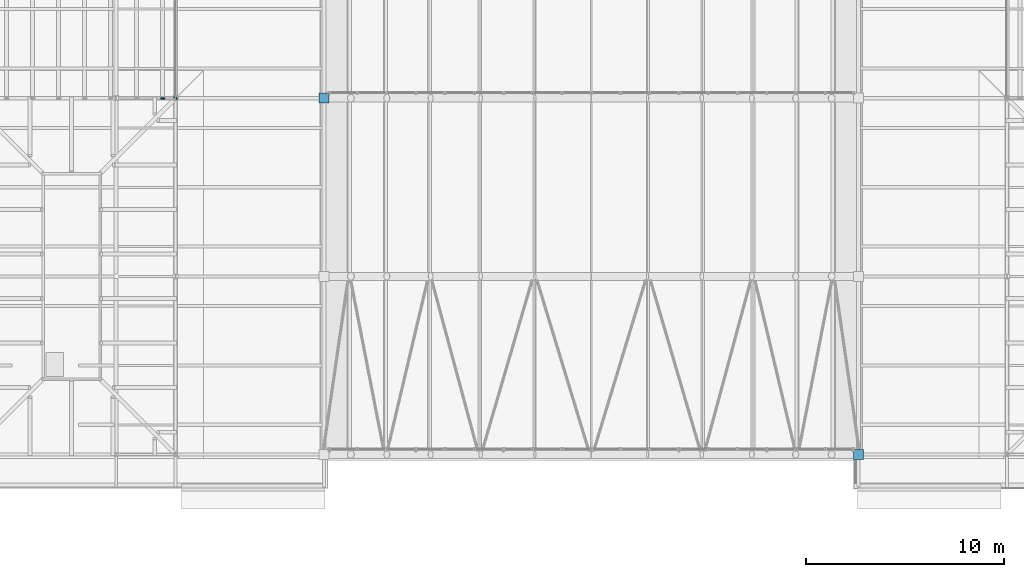
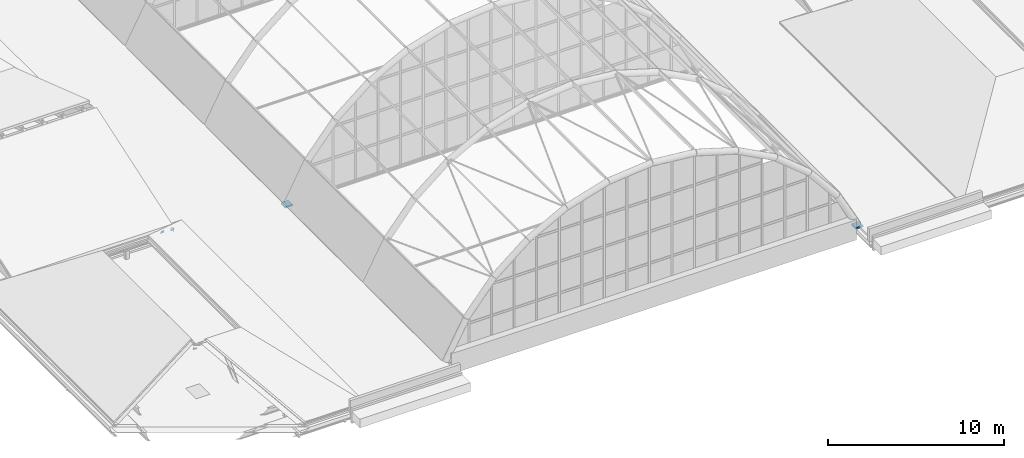
# One storey, part 104 of 121: 4 discrete accessories.
"""IFC4 building model written with IfcOpenShell, lengths in metres."""

from ifc_helpers import new_model, si_unit, direction, frame, origin, origin_2d, place, context, subcontext, project, spatial, rectangle, extrude, material, material_profile, profile_set, type_object, element, save


model = new_model("IFC4")

# Units and contexts
model_context = context("Model", 3, precision=1e-05, world=origin(), true_north=direction((0.0, 1.0)))
body_context = subcontext(model_context, "Body", "Model", "MODEL_VIEW")
ifc_project = project(units=[si_unit("LENGTHUNIT", "METRE"), si_unit("AREAUNIT", "SQUARE_METRE"), si_unit("VOLUMEUNIT", "CUBIC_METRE"), si_unit("PLANEANGLEUNIT", "RADIAN"), si_unit("MASSUNIT", "GRAM", prefix="KILO")], contexts=[model_context])

# Site, building, storey
site_placement = place(None, origin())
site = spatial("IfcSite", under=ifc_project, at=site_placement, CompositionType="ELEMENT")
building_placement = place(site_placement, origin())
building = spatial("IfcBuilding", under=site, at=building_placement, Name="Golden Quay Civic Hall", CompositionType="ELEMENT")
storey_placement = place(building_placement, frame((0.0, 0.0, 18.60009765625)))
storey = spatial("IfcBuildingStorey", under=building, at=storey_placement, Name="L04", CompositionType="ELEMENT", Elevation=18.60009765625)

# Discrete accessories
ifc_material_1 = material(Name="Steel S355", Category="steel")
discrete_accessory_type_1 = type_object("IfcDiscreteAccessoryType", Name="Steel bearing shoe 500x500x100", PredefinedType="BRACKET", material=ifc_material_1)
for number, where, z_axis, x_axis, name in (
    (1, (99.0, 0.0, -0.000244140625), (0.0, 0.0, 1.0), (1.0, 0.0, 0.0), "Bearing shoe 1"),
    (2, (72.0, 18.0, -0.000244140625), (0.0, 0.0, 1.0), (1.0, 0.0, 0.0), "Bearing shoe 3"),
):
    element("IfcDiscreteAccessory", number, at=place(storey_placement, frame(where, z_axis=z_axis, x_axis=x_axis)), inside=storey, type_object=discrete_accessory_type_1, Name=name, PredefinedType="BRACKET", context=body_context, shape_type="SweptSolid", body=[
        extrude(rectangle(XDim=0.5, YDim=0.5, at=origin_2d()), origin(), (0.0, 0.0, 1.0), 0.10009765625),
    ])
ifc_material_2 = material(Name="Steel S355", Category="steel")
ifc_material_profile = material_profile(ifc_material_2, rectangle(XDim=0.199951171875, YDim=0.199951171875, at=origin_2d()), Name="Steel end cap plate 200x200x16")
ifc_profile_set = profile_set([ifc_material_profile], Name="Steel S355")
discrete_accessory_type_2 = type_object("IfcDiscreteAccessoryType", Name="Steel end cap plate 200x200x16", PredefinedType="BRACKET", material=ifc_profile_set)
for number, where, z_axis, x_axis, name in (
    (3, (64.5, 18.0, 0.92822265625), (0.628025291884, 0.628025291884, -0.459530701378), (-0.707106781187, 0.707106781187, 0.0), "End cap hip rafter WM-S north-east"),
    (4, (63.84375, 18.0, 0.990478515625), (0.0, -0.947144575628, -0.32080703368), (1.0, 0.0, 0.0), "End cap gable rafter south 8"),
):
    element("IfcDiscreteAccessory", number, at=place(storey_placement, frame(where, z_axis=z_axis, x_axis=x_axis)), inside=storey, type_object=discrete_accessory_type_2, Name=name, PredefinedType="BRACKET", context=body_context, shape_type="SweptSolid", body=[
        extrude(rectangle(XDim=0.199951171875, YDim=0.199951171875, at=origin_2d()), origin(), (0.0, 0.0, 1.0), 0.015869140625),
    ])

save(model, "model.ifc")
